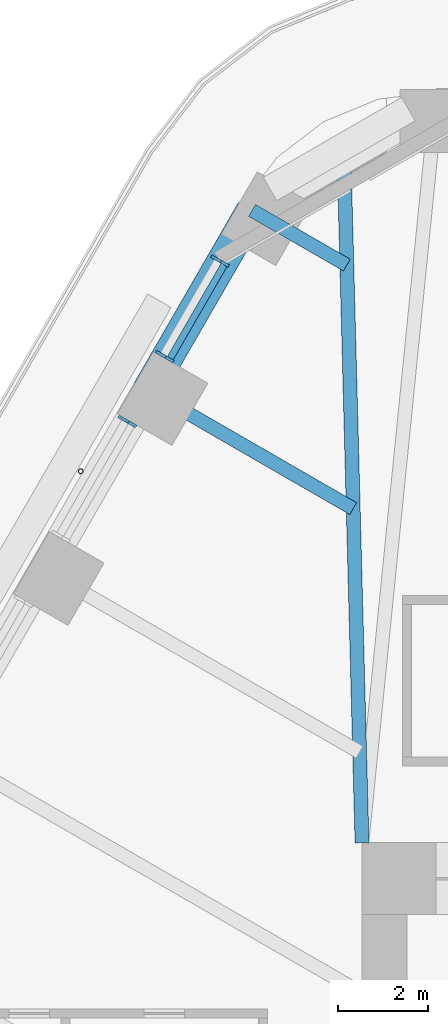
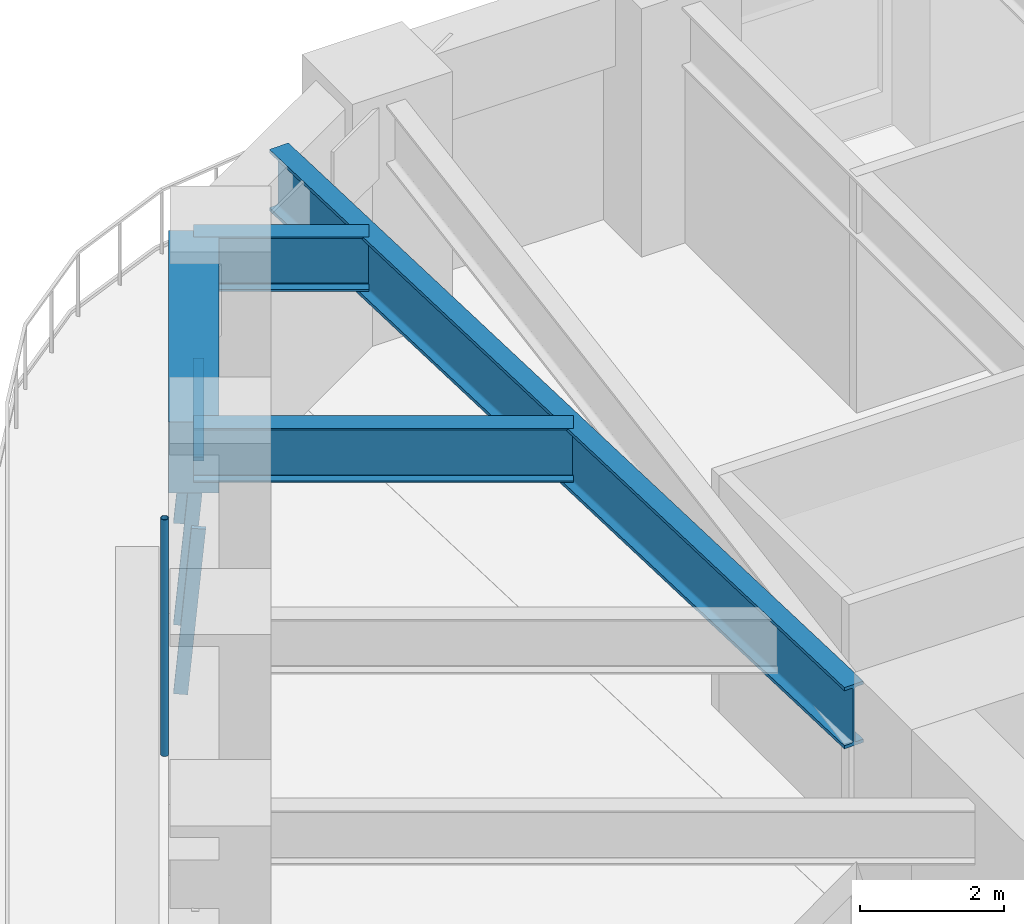
# One storey, part 8 of 20: 5 members, 4 beams, 2 elements without a shape of their own.
"""IFC4 building model written with IfcOpenShell, lengths in metres."""

from ifc_helpers import new_model, si_unit, direction, frame, origin, origin_2d, place, context, subcontext, project, spatial, rectangle, hollow_circle, i_section, extrude, material, material_profile, profile_set, type_object, element, aggregate, save


model = new_model("IFC4")

# Units and contexts
model_context = context("Model", 3, precision=1e-05, world=origin(), true_north=direction((0.0, 1.0)))
body_context = subcontext(model_context, "Body", "Model", "MODEL_VIEW")
ifc_project = project(units=[si_unit("LENGTHUNIT", "METRE"), si_unit("AREAUNIT", "SQUARE_METRE"), si_unit("VOLUMEUNIT", "CUBIC_METRE"), si_unit("PLANEANGLEUNIT", "RADIAN"), si_unit("MASSUNIT", "GRAM", prefix="KILO")], contexts=[model_context])

# Site, building, storey
site_placement = place(None, origin())
site = spatial("IfcSite", under=ifc_project, at=site_placement, CompositionType="ELEMENT")
building_placement = place(site_placement, origin())
building = spatial("IfcBuilding", under=site, at=building_placement, Name="Tarfa Lantern Tower", CompositionType="ELEMENT")
storey_placement = place(building_placement, frame((0.0, 0.0, 232.300048828125)))
storey = spatial("IfcBuildingStorey", under=building, at=storey_placement, Name="L52", CompositionType="ELEMENT", Elevation=232.300048828125)

# Curtain wall, members
ifc_material_1 = material(Name="Aluminium framed curtain wall", Category="aluminium")
curtain_wall_type = type_object("IfcCurtainWallType", Name="CW3 CANTED GLAZING HIGH ZONE 2800", PredefinedType="USERDEFINED", material=ifc_material_1)
curtain_wall_1_placement = place(storey_placement, origin())
curtain_wall_1 = element("IfcCurtainWall", 1, at=curtain_wall_1_placement, inside=storey, type_object=curtain_wall_type, Name="CW3 NW L52", ObjectType="CURTAIN WALL", PredefinedType="USERDEFINED")
ifc_material_2 = material(Name="Aluminium mullion", Category="aluminium")
ifc_material_profile_1 = material_profile(ifc_material_2, rectangle(XDim=0.06494140625, YDim=0.199951171875, at=origin_2d()), Name="AL MULLION 65x200")
ifc_profile_set_1 = profile_set([ifc_material_profile_1], Name="Aluminium mullion")
member_type_1 = type_object("IfcMemberType", Name="CWM1 MULLION 65x200", PredefinedType="MULLION", material=ifc_profile_set_1)
member_1_placement = place(storey_placement, frame((-18.76611328125, 25.296142578125, 0.0), z_axis=(0.077032386753, -0.044465143199, 0.996036576854), x_axis=(0.499919672301, 0.866071776036, 0.0)))
member_1 = element("IfcMember", 2, at=member_1_placement, type_object=member_type_1, Name="CW3 mullion 1", PredefinedType="MULLION", context=body_context, shape_type="SweptSolid", body=[
    extrude(rectangle(XDim=0.06494140625, YDim=0.199951171875, at=origin_2d()), origin(), (0.0, 0.0, 1.0), 2.811279296875),
])
member_2_placement = place(storey_placement, frame((-19.9931640625, 23.1708984375, 0.0), z_axis=(0.077032386753, -0.044465143199, 0.996036576854), x_axis=(0.499919672301, 0.866071776036, 0.0)))
member_2 = element("IfcMember", 3, at=member_2_placement, type_object=member_type_1, Name="CW3 mullion 2", PredefinedType="MULLION", context=body_context, shape_type="SweptSolid", body=[
    extrude(rectangle(XDim=0.06494140625, YDim=0.199951171875, at=origin_2d()), origin(), (0.0, 0.0, 1.0), 2.811279296875),
])

# Curtain wall, member
curtain_wall_2_placement = place(storey_placement, origin())
curtain_wall_2 = element("IfcCurtainWall", 4, at=curtain_wall_2_placement, inside=storey, type_object=curtain_wall_type, Name="CW3 NW L52", ObjectType="CURTAIN WALL", PredefinedType="USERDEFINED")
member_3_placement = place(storey_placement, frame((-20.82568359375, 21.72900390625, 0.0), z_axis=(0.077032386753, -0.044465143199, 0.996036576854), x_axis=(0.499919672301, 0.866071776036, 0.0)))
member_3 = element("IfcMember", 5, at=member_3_placement, type_object=member_type_1, Name="CW3 mullion 1", PredefinedType="MULLION", context=body_context, shape_type="SweptSolid", body=[
    extrude(rectangle(XDim=0.06494140625, YDim=0.199951171875, at=origin_2d()), origin(), (0.0, 0.0, 1.0), 2.811279296875),
])
aggregate(curtain_wall_2, [member_3])

# Member
ifc_material_3 = material(Name="Aluminium transom", Category="aluminium")
ifc_material_profile_2 = material_profile(ifc_material_3, rectangle(XDim=0.14990234375, YDim=0.06494140625, at=origin_2d()), Name="AL TRANSOM 150x65")
ifc_profile_set_2 = profile_set([ifc_material_profile_2], Name="Aluminium transom")
member_type_2 = type_object("IfcMemberType", Name="CWT1 TRANSOM 150x65", PredefinedType="USERDEFINED", material=ifc_profile_set_2)
member_4_placement = place(storey_placement, frame((-18.568359375, 25.144287109375, 2.767333984375), z_axis=(-0.500085172201, -0.865976224006, 0.0), x_axis=(0.865976224006, -0.500085172201, 0.0)))
member_4 = element("IfcMember", 6, at=member_4_placement, type_object=member_type_2, Name="CW3 transom 1.2", ObjectType="TRANSOM", PredefinedType="USERDEFINED", context=body_context, shape_type="SweptSolid", body=[
    extrude(rectangle(XDim=0.14990234375, YDim=0.06494140625, at=origin_2d()), origin(), (0.0, 0.0, 1.0), 2.388671875),
])

aggregate(curtain_wall_1, [member_1, member_2, member_4])

# Beam
ifc_material_4 = material(Name="Concrete C80/95", Category="concrete")
ifc_material_profile_3 = material_profile(ifc_material_4, rectangle(XDim=0.699951171875, YDim=1.199951171875, at=origin_2d()), Name="RC 700x1200")
ifc_profile_set_3 = profile_set([ifc_material_profile_3], Name="Concrete C80/95")
beam_type_1 = type_object("IfcBeamType", Name="EB3 RC 700x1200", PredefinedType="SPANDREL", material=ifc_profile_set_3)
beam_1_placement = place(storey_placement, frame((-17.944091796875, 26.360107421875, 3.39990234375), z_axis=(-0.499987836815, -0.866032426089, 0.0), x_axis=(0.866032426089, -0.499987836815, 0.0)))
element("IfcBeam", 7, at=beam_1_placement, inside=storey, type_object=beam_type_1, Name="Edge beam NW0", PredefinedType="SPANDREL", context=body_context, shape_type="SweptSolid", body=[
    extrude(rectangle(XDim=0.699951171875, YDim=1.199951171875, at=origin_2d()), origin(), (0.0, 0.0, 1.0), 4.61865234375),
])

# Member
ifc_material_5 = material(Name="Steel S355", Category="steel")
ifc_material_profile_4 = material_profile(ifc_material_5, hollow_circle(Radius=0.05712890625, WallThickness=0.00634765625, at=origin_2d()), Name="CHS114.3x6.3")
ifc_profile_set_4 = profile_set([ifc_material_profile_4], Name="Steel S355")
member_type_3 = type_object("IfcMemberType", Name="TR1 GREEN WALL TRELLIS CHS114.3x6.3", PredefinedType="USERDEFINED", material=ifc_profile_set_4)
member_5_placement = place(storey_placement, frame((-21.754638671875, 20.56005859375, 0.0), z_axis=(0.0, 0.0, 1.0), x_axis=(1.0, 0.0, 0.0)))
element("IfcMember", 8, at=member_5_placement, inside=storey, type_object=member_type_3, Name="Trellis post NW 1", ObjectType="TRELLIS", PredefinedType="USERDEFINED", context=body_context, shape_type="SweptSolid", body=[
    extrude(hollow_circle(Radius=0.05712890625, WallThickness=0.00634765625, at=origin_2d()), origin(), (0.0, 0.0, 1.0), 4.0),
])

# Beams
ifc_material_6 = material(Name="Steel S460M", Category="steel")
ifc_material_profile_5 = material_profile(ifc_material_6, i_section(OverallWidth=0.30859375, OverallDepth=1.036376953125, WebThickness=0.030029296875, FlangeThickness=0.05419921875, FilletRadius=0.030029296875, at=origin_2d()), Name="UB1016x305x487")
ifc_profile_set_5 = profile_set([ifc_material_profile_5], Name="Steel S460M")
beam_type_2 = type_object("IfcBeamType", Name="UB1016x305x487", PredefinedType="BEAM", material=ifc_profile_set_5)
beam_2_placement = place(storey_placement, frame((-15.5, 12.300048828125, 3.481689453125), z_axis=(-0.026247301989, 0.999655480222, 0.0), x_axis=(-0.999655480222, -0.026247301989, 0.0)))
element("IfcBeam", 9, at=beam_2_placement, inside=storey, type_object=beam_type_2, Name="Hip girder NW", PredefinedType="BEAM", context=body_context, shape_type="SweptSolid", body=[
    extrude(i_section(OverallWidth=0.30859375, OverallDepth=1.036376953125, WebThickness=0.030029296875, FlangeThickness=0.05419921875, FilletRadius=0.030029296875, at=origin_2d()), origin(), (0.0, 0.0, 1.0), 15.245361328125),
])
ifc_material_profile_6 = material_profile(ifc_material_6, i_section(OverallWidth=0.305419921875, OverallDepth=0.91845703125, WebThickness=0.017333984375, FlangeThickness=0.02783203125, FilletRadius=0.01904296875, at=origin_2d()), Name="UB914x305x253")
ifc_profile_set_6 = profile_set([ifc_material_profile_6], Name="Steel S460M")
beam_type_3 = type_object("IfcBeamType", Name="UB914x305x253", PredefinedType="BEAM", material=ifc_profile_set_6)
beam_3_placement = place(storey_placement, frame((-17.944091796875, 26.360107421875, 3.540771484375), z_axis=(0.865980009423, -0.5000786171, 0.0), x_axis=(0.5000786171, 0.865980009423, 0.0)))
element("IfcBeam", 10, at=beam_3_placement, inside=storey, type_object=beam_type_3, Name="Floor beam NW0", PredefinedType="BEAM", context=body_context, shape_type="SweptSolid", body=[
    extrude(i_section(OverallWidth=0.305419921875, OverallDepth=0.91845703125, WebThickness=0.017333984375, FlangeThickness=0.02783203125, FilletRadius=0.01904296875, at=origin_2d()), origin(), (0.0, 0.0, 1.0), 2.4326171875),
])
beam_4_placement = place(storey_placement, frame((-20.25341796875, 22.360107421875, 3.540771484375), z_axis=(0.86601951648, -0.500010196972, 0.0), x_axis=(0.500010196972, 0.86601951648, 0.0)))
element("IfcBeam", 11, at=beam_4_placement, inside=storey, type_object=beam_type_3, Name="Floor beam NW1", PredefinedType="BEAM", context=body_context, shape_type="SweptSolid", body=[
    extrude(i_section(OverallWidth=0.305419921875, OverallDepth=0.91845703125, WebThickness=0.017333984375, FlangeThickness=0.02783203125, FilletRadius=0.01904296875, at=origin_2d()), origin(), (0.0, 0.0, 1.0), 5.263671875),
])

save(model, "model.ifc")
